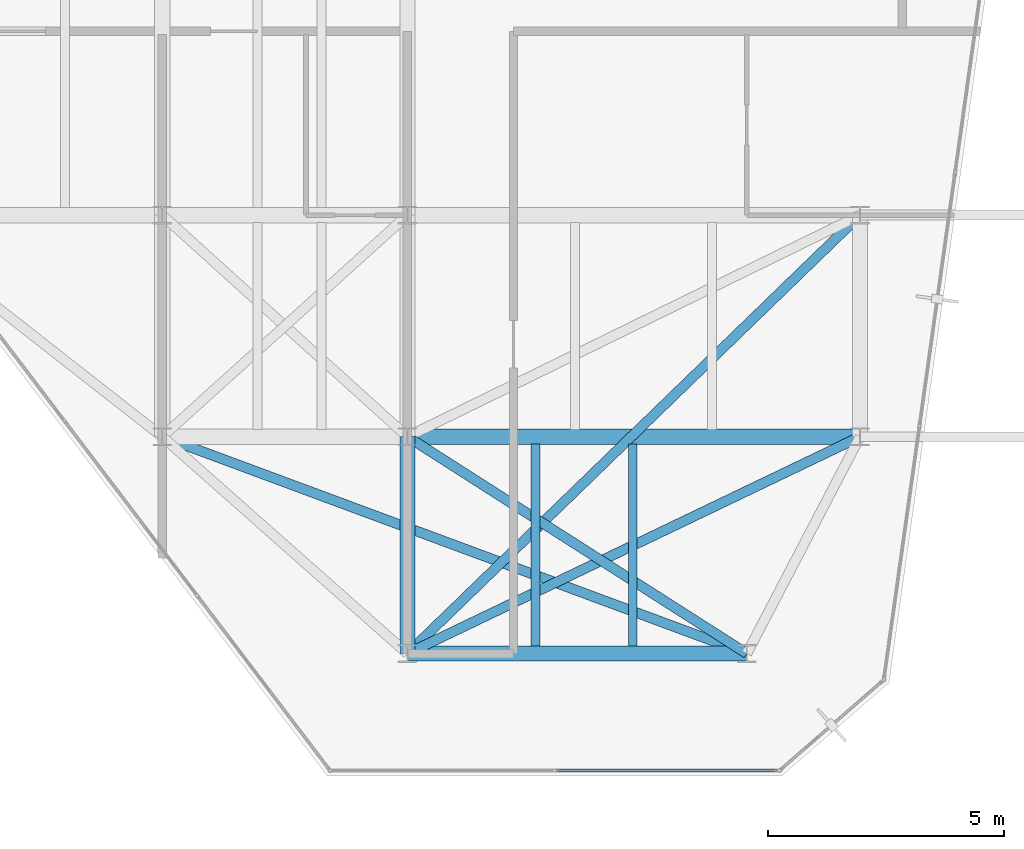
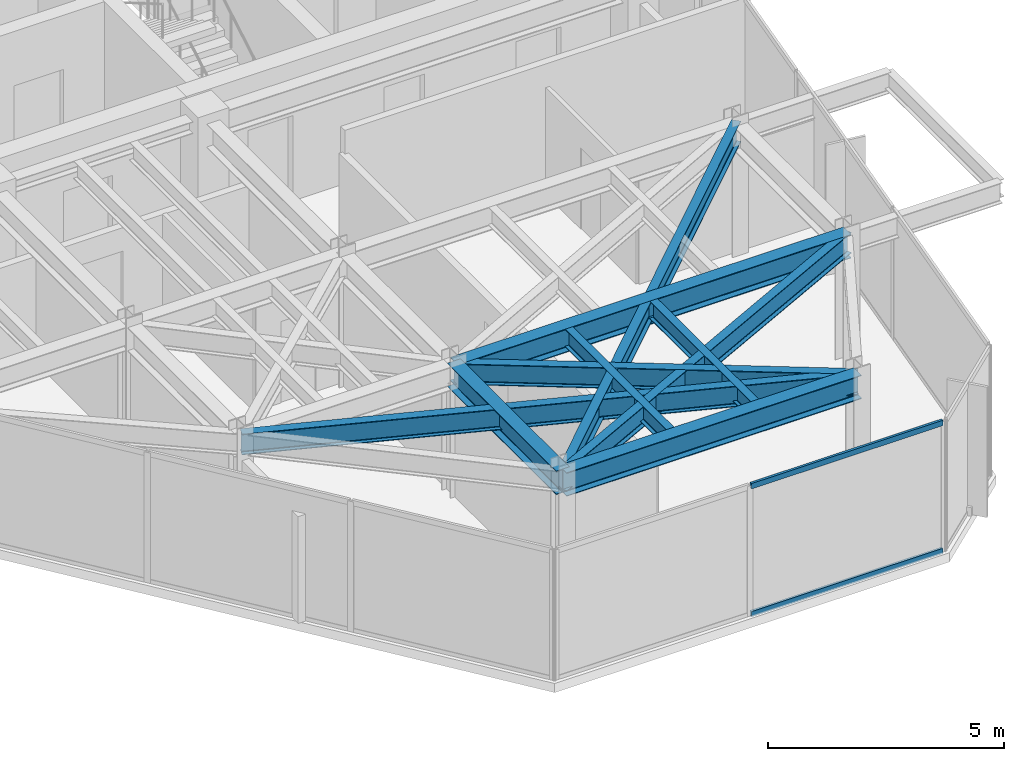
# One storey, part 7 of 16: 9 beams, 2 members, 1 element without a shape of its own.
"""IFC4 building model written with IfcOpenShell, lengths in metres."""

import ifcopenshell
import ifcopenshell.guid

model = None  # the IFC model being written
_history = None  # IfcOwnerHistory: only IFC2X3 demands one
_inside = {}  # id of a spatial element -> (the spatial element, [elements in it])
_under = {}  # id of a project, library or spatial element -> (it, [spatial elements below it])
_declared = {}  # id of a project -> (the project, [libraries it declares])
_typed = {}  # id of a type object -> (the type object, [elements of that type])
_made_of = {}  # id of a material, layer set ... -> (it, [elements and type objects made of it])


def new_model(schema):
    """Start an empty IFC model of exactly this schema.

    Asked for "IFC4X3", IfcOpenShell would pick the latest addendum, in which some entities
    have other attributes; the version numbers below select the first issue.
    IFC2X3 requires an IfcOwnerHistory on every rooted entity: one is made here for all.
    """
    global model, _history
    if schema == "IFC4X3":
        model = ifcopenshell.file(schema_version=(4, 3, 0, 0))
    else:
        model = ifcopenshell.file(schema=schema)
    _inside.clear()
    _under.clear()
    _declared.clear()
    _typed.clear()
    _made_of.clear()
    _history = None
    if model.schema == "IFC2X3":
        org = make("IfcOrganization", Name="unknown")
        user = make(
            "IfcPersonAndOrganization",
            ThePerson=make("IfcPerson", FamilyName="unknown"),
            TheOrganization=org,
        )
        app = make(
            "IfcApplication",
            ApplicationDeveloper=org,
            Version="unknown",
            ApplicationFullName="unknown",
            ApplicationIdentifier="unknown",
        )
        _history = make(
            "IfcOwnerHistory",
            OwningUser=user,
            OwningApplication=app,
            ChangeAction="ADDED",
            CreationDate=0,
        )
    return model


def make(cls, **values):
    """One entity of the class cls with the attributes given. An attribute that is None is left unset."""
    return model.create_entity(
        cls, **{name: value for name, value in values.items() if value is not None}
    )


def rooted(cls, **values):
    """An entity with a GlobalId (a new one), such as an element, a storey or a relation."""
    return make(cls, GlobalId=ifcopenshell.guid.new(), OwnerHistory=_history, **values)


def si_unit(unit_type, name, prefix=None):
    """IfcSIUnit, for example si_unit("LENGTHUNIT", "METRE", prefix="MILLI")."""
    return make("IfcSIUnit", UnitType=unit_type, Prefix=prefix, Name=name)


def assignment(units):
    """IfcUnitAssignment: the units of a project."""
    return None if units is None else make("IfcUnitAssignment", Units=units)


def point(xyz):
    """IfcCartesianPoint."""
    return None if xyz is None else make("IfcCartesianPoint", Coordinates=xyz)


def direction(xyz):
    """IfcDirection."""
    return None if xyz is None else make("IfcDirection", DirectionRatios=xyz)


def frame(location, z_axis=None, x_axis=None):
    """IfcAxis2Placement3D, a coordinate frame: its origin and axes. An axis left out is left unset."""
    return make(
        "IfcAxis2Placement3D",
        Location=point(location),
        Axis=direction(z_axis),
        RefDirection=direction(x_axis),
    )


def frame_2d(location, x_axis=None):
    """IfcAxis2Placement2D, a coordinate frame in the plane: its origin and x axis."""
    return make(
        "IfcAxis2Placement2D", Location=point(location), RefDirection=direction(x_axis)
    )


def origin():
    """The frame at (0, 0, 0) with its axes left unset."""
    return frame((0.0, 0.0, 0.0))


def origin_2d():
    """The frame at (0, 0) in the plane with its x axis left unset."""
    return frame_2d((0.0, 0.0))


def place(relative_to, where):
    """IfcLocalPlacement: puts the frame where relative to a parent placement (None: the world)."""
    return make(
        "IfcLocalPlacement", PlacementRelTo=relative_to, RelativePlacement=where
    )


def context(
    kind, dimensions, precision=None, world=None, true_north=None, identifier=None
):
    """IfcGeometricRepresentationContext, for example the 3D "Model" context."""
    return make(
        "IfcGeometricRepresentationContext",
        ContextIdentifier=identifier,
        ContextType=kind,
        CoordinateSpaceDimension=dimensions,
        Precision=precision,
        WorldCoordinateSystem=world,
        TrueNorth=true_north,
    )


def subcontext(parent, identifier, kind, view, scale=None):
    """IfcGeometricRepresentationSubContext, for example "Body" below "Model"."""
    return make(
        "IfcGeometricRepresentationSubContext",
        ContextIdentifier=identifier,
        ContextType=kind,
        ParentContext=parent,
        TargetScale=scale,
        TargetView=view,
    )


def project(units=None, contexts=None):
    """IfcProject with its units and contexts."""
    return rooted(
        "IfcProject",
        Name="project",
        RepresentationContexts=contexts,
        UnitsInContext=assignment(units),
    )


def spatial(cls, under=None, at=None, **own):
    """A site, building, storey or space (cls), placed at a placement, below another one or the project."""
    s = rooted(cls, ObjectPlacement=at, **own)
    if under is not None:
        _under.setdefault(under.id(), (under, []))[1].append(s)
    return s


def profile(cls, at=None, kind="AREA", **sizes):
    """A parametric profile (cls). Its sizes go by their IFC names, for example OverallWidth=200.0."""
    return make(cls, ProfileType=kind, Position=at, **sizes)


def hollow_rectangle(**sizes):
    """IfcRectangleHollowProfileDef."""
    return profile("IfcRectangleHollowProfileDef", **sizes)


def i_section(**sizes):
    """IfcIShapeProfileDef."""
    return profile("IfcIShapeProfileDef", **sizes)


def extrude(swept, where, along, depth):
    """IfcExtrudedAreaSolid: the profile swept, set in the frame where, extruded along a direction by depth."""
    return make(
        "IfcExtrudedAreaSolid",
        SweptArea=swept,
        Position=where,
        ExtrudedDirection=direction(along),
        Depth=depth,
    )


def shape(context_of_items, identifier, shape_type, items):
    """IfcShapeRepresentation: the items that make up one representation, for example the "Body"."""
    return make(
        "IfcShapeRepresentation",
        ContextOfItems=context_of_items,
        RepresentationIdentifier=identifier,
        RepresentationType=shape_type,
        Items=items,
    )


def material(Name=None, Category=None):
    """IfcMaterial."""
    return make("IfcMaterial", Name=Name, Category=Category)


def layer(
    of_material, thickness, ventilated=None, Name=None, Category=None, Priority=None
):
    """IfcMaterialLayer: one layer of a wall or slab, of a material (None: an air gap)."""
    return make(
        "IfcMaterialLayer",
        Material=of_material,
        LayerThickness=thickness,
        IsVentilated=ventilated,
        Name=Name,
        Category=Category,
        Priority=Priority,
    )


def layer_set(layers, Name=None):
    """IfcMaterialLayerSet."""
    return make("IfcMaterialLayerSet", MaterialLayers=layers, LayerSetName=Name)


def material_profile(
    of_material, cross_section, Name=None, Category=None, Priority=None
):
    """IfcMaterialProfile: a cross section and its material."""
    return make(
        "IfcMaterialProfile",
        Name=Name,
        Material=of_material,
        Profile=cross_section,
        Priority=Priority,
        Category=Category,
    )


def profile_set(profiles, Name=None, composite=None):
    """IfcMaterialProfileSet."""
    return make(
        "IfcMaterialProfileSet",
        Name=Name,
        MaterialProfiles=profiles,
        CompositeProfile=composite,
    )


def made_of(thing, what):
    """Note that an element or type object is made of a material, layer set ...; save() writes the relation."""
    if what is not None:
        _made_of.setdefault(what.id(), (what, []))[1].append(thing)
    return thing


def type_object(cls, material=None, **own):
    """A type object (cls), such as IfcWallType, which elements share."""
    return made_of(rooted(cls, **own), material)


def element(
    cls,
    number,
    at=None,
    inside=None,
    cuts=None,
    type_object=None,
    material=None,
    context=None,
    identifier="Body",
    shape_type=None,
    held_by="IfcProductDefinitionShape",
    body=None,
    shapes=None,
    **own,
):
    """One element of the class cls, such as IfcWall. Its Tag is "e" and its number.

    at: its placement. inside: the storey or other place that contains it. cuts: it is an
    opening in that element (IfcRelVoidsElement). A single representation is given by context,
    identifier, shape_type and body (its items); several are given by shapes. held_by: the class
    of the entity that holds the representations. save() writes the other relations.
    """
    e = rooted(cls, Tag="e%d" % number, ObjectPlacement=at, **own)
    if body is not None:
        shapes = [shape(context, identifier, shape_type, body)]
    if shapes is not None:
        e.Representation = make(held_by, Representations=shapes)
    if inside is not None:
        _inside.setdefault(inside.id(), (inside, []))[1].append(e)
    if cuts is not None:
        rooted(
            "IfcRelVoidsElement", RelatingBuildingElement=cuts, RelatedOpeningElement=e
        )
    if type_object is not None:
        _typed.setdefault(type_object.id(), (type_object, []))[1].append(e)
    return made_of(e, material)


def aggregate(whole, parts):
    """IfcRelAggregates: a whole, such as a stair, and the parts it consists of."""
    return rooted("IfcRelAggregates", RelatingObject=whole, RelatedObjects=parts)


def save(model, path):
    """Write the relations noted so far, then the file.

    IfcRelAggregates (storeys below a building ...), IfcRelContainedInSpatialStructure (elements
    in a storey), IfcRelDefinesByType, IfcRelAssociatesMaterial and IfcRelDeclares: one each for
    every whole, place, type object, material and project.
    """
    for whole, parts in _under.values():
        aggregate(whole, parts)
    for where, things in _inside.values():
        rooted(
            "IfcRelContainedInSpatialStructure",
            RelatedElements=things,
            RelatingStructure=where,
        )
    for kind, things in _typed.values():
        rooted("IfcRelDefinesByType", RelatedObjects=things, RelatingType=kind)
    for what, things in _made_of.values():
        rooted("IfcRelAssociatesMaterial", RelatedObjects=things, RelatingMaterial=what)
    for by, libraries in _declared.values():
        rooted("IfcRelDeclares", RelatingContext=by, RelatedDefinitions=libraries)
    model.write(path)


model = new_model("IFC4")

# Units and contexts
model_context = context("Model", 3, precision=1e-05, world=origin(), true_north=direction((0.0, 1.0)))
body_context = subcontext(model_context, "Body", "Model", "MODEL_VIEW")
ifc_project = project(units=[si_unit("LENGTHUNIT", "METRE"), si_unit("AREAUNIT", "SQUARE_METRE"), si_unit("VOLUMEUNIT", "CUBIC_METRE"), si_unit("PLANEANGLEUNIT", "RADIAN"), si_unit("MASSUNIT", "GRAM", prefix="KILO")], contexts=[model_context])

# Site, building, storey
site_placement = place(None, origin())
site = spatial("IfcSite", under=ifc_project, at=site_placement, CompositionType="ELEMENT")
building_placement = place(site_placement, origin())
building = spatial("IfcBuilding", under=site, at=building_placement, Name="Kravanh Interchange Tower", CompositionType="ELEMENT")
storey_placement = place(building_placement, frame((0.0, 0.0, 296.699951171875)))
storey = spatial("IfcBuildingStorey", under=building, at=storey_placement, Name="L73", CompositionType="ELEMENT", Elevation=296.699951171875)

# Curtain wall, members
ifc_material_1 = material(Name="Anodised Bronze Aluminium", Category="aluminium")
ifc_layer = layer(ifc_material_1, 0.179931640625)
ifc_layer_set = layer_set([ifc_layer], Name="Unitised Curtain Wall System CW-HTL Luxury Hotel")
curtain_wall_type = type_object("IfcCurtainWallType", Name="Unitised Curtain Wall System CW-HTL Luxury Hotel", PredefinedType="NOTDEFINED", material=ifc_layer_set)
curtain_wall_placement = place(storey_placement, origin())
curtain_wall = element("IfcCurtainWall", 1, at=curtain_wall_placement, inside=storey, type_object=curtain_wall_type, Name="L73 Unitised Curtain Wall CW-L73-03", PredefinedType="NOTDEFINED")
ifc_material_2 = material(Name="Anodised Bronze Aluminium", Category="aluminium")
ifc_material_profile_1 = material_profile(ifc_material_2, hollow_rectangle(XDim=0.06005859375, YDim=0.139892578125, WallThickness=0.00390625, at=origin_2d()), Name="ALU60X140X4")
ifc_profile_set_1 = profile_set([ifc_material_profile_1], Name="Anodised Bronze Aluminium")
member_type = type_object("IfcMemberType", Name="Curtain Wall Transom ALU60X140X4 Bronze", PredefinedType="USERDEFINED", material=ifc_profile_set_1)
member_1_placement = place(storey_placement, frame((63.83349609375, 19.719970703125, 0.030029296875), z_axis=(-1.0, 0.0, 0.0), x_axis=(0.0, -1.0, 0.0)))
member_1 = element("IfcMember", 2, at=member_1_placement, type_object=member_type, Name="CW-HTL transom 1.1", ObjectType="TRANSOM", PredefinedType="USERDEFINED", context=body_context, shape_type="SweptSolid", body=[
    extrude(hollow_rectangle(XDim=0.06005859375, YDim=0.139892578125, WallThickness=0.00390625, at=origin_2d()), origin(), (0.0, 0.0, 1.0), 4.677001953125),
])
member_2_placement = place(storey_placement, frame((63.83349609375, 19.719970703125, 3.3349609375), z_axis=(-1.0, 0.0, 0.0), x_axis=(0.0, -1.0, 0.0)))
member_2 = element("IfcMember", 3, at=member_2_placement, type_object=member_type, Name="CW-HTL transom 1.2", ObjectType="TRANSOM", PredefinedType="USERDEFINED", context=body_context, shape_type="SweptSolid", body=[
    extrude(hollow_rectangle(XDim=0.06005859375, YDim=0.139892578125, WallThickness=0.00390625, at=origin_2d()), origin(), (0.0, 0.0, 1.0), 4.677001953125),
])
aggregate(curtain_wall, [member_1, member_2])

# Beams
ifc_material_3 = material(Name="Structural Steel S355", Category="steel")
ifc_material_profile_2 = material_profile(ifc_material_3, i_section(OverallWidth=0.323974609375, OverallDepth=0.611083984375, WebThickness=0.0126953125, FlangeThickness=0.01904296875, FilletRadius=0.02197265625, at=origin_2d()), Name="W24X104")
ifc_profile_set_2 = profile_set([ifc_material_profile_2], Name="Structural Steel S355")
beam_type_1 = type_object("IfcBeamType", Name="Floor Beam W24X104 Structural Steel S355", PredefinedType="BEAM", material=ifc_profile_set_2)
beam_1_placement = place(storey_placement, frame((56.0, 26.800048828125, 3.0595703125), z_axis=(0.0, -1.0, 0.0), x_axis=(1.0, 0.0, 0.0)))
element("IfcBeam", 4, at=beam_1_placement, inside=storey, type_object=beam_type_1, Name="L73 Primary Floor Girder 22", PredefinedType="BEAM", context=body_context, shape_type="SweptSolid", body=[
    extrude(i_section(OverallWidth=0.323974609375, OverallDepth=0.611083984375, WebThickness=0.0126953125, FlangeThickness=0.01904296875, FilletRadius=0.02197265625, at=origin_2d()), origin(), (0.0, 0.0, 1.0), 4.60009765625),
])
beam_2_placement = place(storey_placement, frame((56.0, 26.800048828125, 3.0595703125), z_axis=(1.0, 0.0, 0.0), x_axis=(0.0, 1.0, 0.0)))
element("IfcBeam", 5, at=beam_2_placement, inside=storey, type_object=beam_type_1, Name="L73 Primary Floor Girder 24", PredefinedType="BEAM", context=body_context, shape_type="SweptSolid", body=[
    extrude(i_section(OverallWidth=0.323974609375, OverallDepth=0.611083984375, WebThickness=0.0126953125, FlangeThickness=0.01904296875, FilletRadius=0.02197265625, at=origin_2d()), origin(), (0.0, 0.0, 1.0), 9.60009765625),
])
beam_3_placement = place(storey_placement, frame((56.0, 22.199951171875, 3.0595703125), z_axis=(1.0, 0.0, 0.0), x_axis=(0.0, 1.0, 0.0)))
element("IfcBeam", 6, at=beam_3_placement, inside=storey, type_object=beam_type_1, Name="L73 Primary Floor Girder 27", PredefinedType="BEAM", context=body_context, shape_type="SweptSolid", body=[
    extrude(i_section(OverallWidth=0.323974609375, OverallDepth=0.611083984375, WebThickness=0.0126953125, FlangeThickness=0.01904296875, FilletRadius=0.02197265625, at=origin_2d()), origin(), (0.0, 0.0, 1.0), 7.199951171875),
])
ifc_material_4 = material(Name="Structural Steel S355", Category="steel")
ifc_material_profile_3 = material_profile(ifc_material_4, i_section(OverallWidth=0.18994140625, OverallDepth=0.45703125, WebThickness=0.009033203125, FlangeThickness=0.014404296875, FilletRadius=0.01806640625, at=origin_2d()), Name="W18X50")
ifc_profile_set_3 = profile_set([ifc_material_profile_3], Name="Structural Steel S355")
beam_type_2 = type_object("IfcBeamType", Name="Floor Joist W18X50 Structural Steel S355", PredefinedType="JOIST", material=ifc_profile_set_3)
for number, where, z_axis, x_axis, name in (
    (7, (58.715087890625, 22.35693359375, 3.136474609375), (0.0, 1.0, 0.0), (-1.0, 0.0, 0.0), "L73 Secondary Floor Joist 1"),
    (8, (60.780029296875, 22.35693359375, 3.136474609375), (0.0, 1.0, 0.0), (-1.0, 0.0, 0.0), "L73 Secondary Floor Joist 2"),
):
    element("IfcBeam", number, at=place(storey_placement, frame(where, z_axis=z_axis, x_axis=x_axis)), inside=storey, type_object=beam_type_2, Name=name, PredefinedType="JOIST", context=body_context, shape_type="SweptSolid", body=[
        extrude(i_section(OverallWidth=0.18994140625, OverallDepth=0.45703125, WebThickness=0.009033203125, FlangeThickness=0.014404296875, FilletRadius=0.01806640625, at=origin_2d()), origin(), (0.0, 0.0, 1.0), 4.2861328125),
    ])
ifc_material_5 = material(Name="Structural Steel S355", Category="steel")
ifc_material_profile_4 = material_profile(ifc_material_5, i_section(OverallWidth=0.2099609375, OverallDepth=0.537109375, WebThickness=0.010986328125, FlangeThickness=0.017333984375, FilletRadius=0.02001953125, at=origin_2d()), Name="W21X68")
ifc_profile_set_4 = profile_set([ifc_material_profile_4], Name="Structural Steel S355")
beam_type_3 = type_object("IfcBeamType", Name="Floor Spandrel W21X68 Structural Steel S355", PredefinedType="SPANDREL", material=ifc_profile_set_4)
beam_4_placement = place(storey_placement, frame((65.60009765625, 31.5, 3.096435546875), z_axis=(-0.718241934329, -0.695793449072, 0.0), x_axis=(0.695793449072, -0.718241934329, 0.0)))
element("IfcBeam", 9, at=beam_4_placement, inside=storey, type_object=beam_type_3, Name="L73 Perimeter Spandrel 16", PredefinedType="SPANDREL", context=body_context, shape_type="SweptSolid", body=[
    extrude(i_section(OverallWidth=0.2099609375, OverallDepth=0.537109375, WebThickness=0.010986328125, FlangeThickness=0.017333984375, FilletRadius=0.02001953125, at=origin_2d()), origin(), (0.0, 0.0, 1.0), 13.3662109375),
])
beam_5_placement = place(storey_placement, frame((50.800048828125, 26.800048828125, 3.096435546875), z_axis=(0.937562917338, -0.347815721372, 0.0), x_axis=(0.347815721372, 0.937562917338, 0.0)))
element("IfcBeam", 10, at=beam_5_placement, inside=storey, type_object=beam_type_3, Name="L73 Perimeter Spandrel 21", PredefinedType="SPANDREL", context=body_context, shape_type="SweptSolid", body=[
    extrude(i_section(OverallWidth=0.2099609375, OverallDepth=0.537109375, WebThickness=0.010986328125, FlangeThickness=0.017333984375, FilletRadius=0.02001953125, at=origin_2d()), origin(), (0.0, 0.0, 1.0), 13.2255859375),
])
beam_6_placement = place(storey_placement, frame((56.0, 26.800048828125, 3.096435546875), z_axis=(0.842689417531, -0.53839998661, 0.0), x_axis=(0.53839998661, 0.842689417531, 0.0)))
element("IfcBeam", 11, at=beam_6_placement, inside=storey, type_object=beam_type_3, Name="L73 Perimeter Spandrel 23", PredefinedType="SPANDREL", context=body_context, shape_type="SweptSolid", body=[
    extrude(i_section(OverallWidth=0.2099609375, OverallDepth=0.537109375, WebThickness=0.010986328125, FlangeThickness=0.017333984375, FilletRadius=0.02001953125, at=origin_2d()), origin(), (0.0, 0.0, 1.0), 8.5439453125),
])
beam_7_placement = place(storey_placement, frame((65.60009765625, 26.800048828125, 3.096435546875), z_axis=(-0.901814166789, -0.432124066188, 0.0), x_axis=(0.432124066188, -0.901814166789, 0.0)))
element("IfcBeam", 12, at=beam_7_placement, inside=storey, type_object=beam_type_3, Name="L73 Perimeter Spandrel 26", PredefinedType="SPANDREL", context=body_context, shape_type="SweptSolid", body=[
    extrude(i_section(OverallWidth=0.2099609375, OverallDepth=0.537109375, WebThickness=0.010986328125, FlangeThickness=0.017333984375, FilletRadius=0.02001953125, at=origin_2d()), origin(), (0.0, 0.0, 1.0), 10.645263671875),
])

save(model, "model.ifc")
